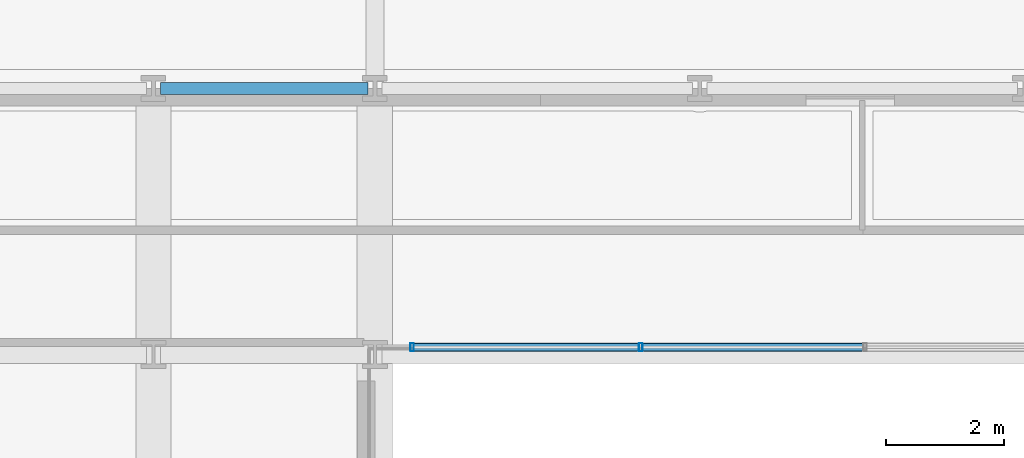
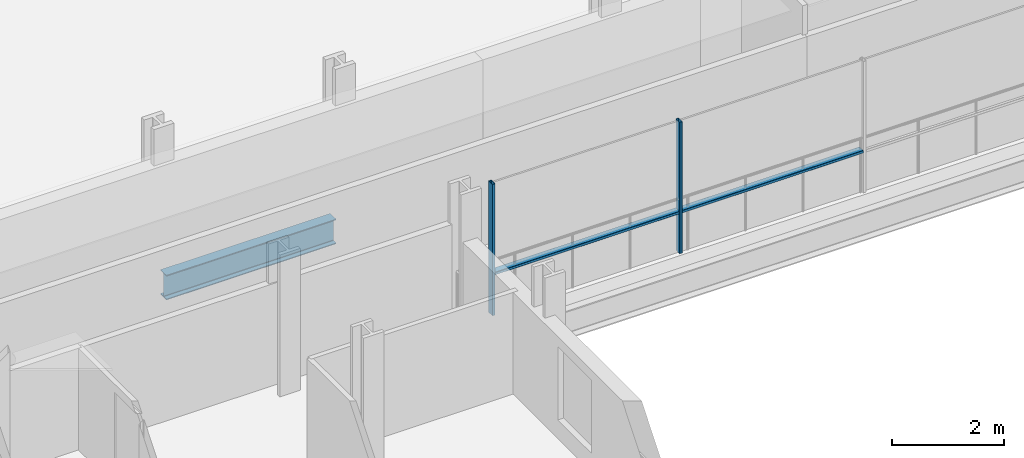
# One storey, part 9 of 38: 4 members, 1 beam, 1 element without a shape of its own.
"""IFC4 building model written with IfcOpenShell, lengths in metres."""

from ifc_helpers import new_model, si_unit, direction, frame, origin, origin_2d, place, context, subcontext, project, spatial, hollow_rectangle, i_section, extrude, material, layer, layer_set, material_profile, profile_set, type_object, element, aggregate, save


model = new_model("IFC4")

# Units and contexts
model_context = context("Model", 3, precision=1e-05, world=origin(), true_north=direction((0.0, 1.0)))
body_context = subcontext(model_context, "Body", "Model", "MODEL_VIEW")
ifc_project = project(units=[si_unit("LENGTHUNIT", "METRE"), si_unit("AREAUNIT", "SQUARE_METRE"), si_unit("VOLUMEUNIT", "CUBIC_METRE"), si_unit("PLANEANGLEUNIT", "RADIAN"), si_unit("MASSUNIT", "GRAM", prefix="KILO")], contexts=[model_context])

# Site, building, storey
site_placement = place(None, origin())
site = spatial("IfcSite", under=ifc_project, at=site_placement, CompositionType="ELEMENT")
building_placement = place(site_placement, origin())
building = spatial("IfcBuilding", under=site, at=building_placement, Name="Brevholm Reach", CompositionType="ELEMENT")
storey_placement = place(building_placement, frame((0.0, 0.0, 28.0)))
storey = spatial("IfcBuildingStorey", under=building, at=storey_placement, Name="L06", CompositionType="ELEMENT", Elevation=28.0)

# Beam
ifc_material_1 = material(Name="Structural Steel S355J2", Category="steel")
ifc_material_profile_1 = material_profile(ifc_material_1, i_section(OverallWidth=0.210693359375, OverallDepth=0.53955078125, WebThickness=0.01171875, FlangeThickness=0.018798828125, FilletRadius=0.0126953125, at=origin_2d()), Name="UKB 533x210x109")
ifc_profile_set_1 = profile_set([ifc_material_profile_1], Name="Structural Steel S355J2")
beam_type = type_object("IfcBeamType", Name="BM-SP539", PredefinedType="SPANDREL", material=ifc_profile_set_1)
beam_placement = place(storey_placement, frame((18.1201171875, 31.0, -0.539794921875), z_axis=(1.0, 0.0, 0.0), x_axis=(0.0, 1.0, 0.0)))
element("IfcBeam", 1, at=beam_placement, inside=storey, type_object=beam_type, Name="L06 SP-01B Framing Beam", PredefinedType="SPANDREL", context=body_context, shape_type="SweptSolid", body=[
    extrude(i_section(OverallWidth=0.210693359375, OverallDepth=0.53955078125, WebThickness=0.01171875, FlangeThickness=0.018798828125, FilletRadius=0.0126953125, at=origin_2d()), origin(), (0.0, 0.0, 1.0), 3.509765625),
])

# Curtain wall, members
ifc_material_2 = material(Name="Dark Anodised Aluminium 6063-T6 and Solar-Control Glass", Category="aluminium")
ifc_layer = layer(ifc_material_2, 0.139892578125)
ifc_layer_set = layer_set([ifc_layer], Name="Dark Anodised Aluminium 6063-T6 and Solar-Control Glass")
curtain_wall_type = type_object("IfcCurtainWallType", Name="CW-02", PredefinedType="NOTDEFINED", material=ifc_layer_set)
curtain_wall_placement = place(storey_placement, origin())
curtain_wall = element("IfcCurtainWall", 2, at=curtain_wall_placement, inside=storey, type_object=curtain_wall_type, Name="L06 Curtain Wall CW-02", PredefinedType="NOTDEFINED")
ifc_material_3 = material(Name="Dark Anodised Aluminium 6063-T6", Category="aluminium")
ifc_material_profile_2 = material_profile(ifc_material_3, hollow_rectangle(XDim=0.06005859375, YDim=0.139892578125, WallThickness=0.0048828125, InnerFilletRadius=0.0048828125, OuterFilletRadius=0.010009765625, at=origin_2d()), Name="RHS 140x60x5")
ifc_profile_set_2 = profile_set([ifc_material_profile_2], Name="Dark Anodised Aluminium 6063-T6")
member_type_1 = type_object("IfcMemberType", Name="CWM-140", PredefinedType="MULLION", material=ifc_profile_set_2)
member_1_placement = place(storey_placement, frame((26.25, 26.6201171875, 0.0), z_axis=(0.0, 0.0, 1.0), x_axis=(-1.0, 0.0, 0.0)))
member_1 = element("IfcMember", 3, at=member_1_placement, type_object=member_type_1, Name="CM-140 Mullion 4", PredefinedType="MULLION", context=body_context, shape_type="SweptSolid", body=[
    extrude(hollow_rectangle(XDim=0.06005859375, YDim=0.139892578125, WallThickness=0.0048828125, InnerFilletRadius=0.0048828125, OuterFilletRadius=0.010009765625, at=origin_2d()), origin(), (0.0, 0.0, 1.0), 2.8701171875),
])
member_2_placement = place(storey_placement, frame((22.3798828125, 26.6201171875, 0.0), z_axis=(0.0, 0.0, 1.0), x_axis=(-1.0, 0.0, 0.0)))
member_2 = element("IfcMember", 4, at=member_2_placement, type_object=member_type_1, Name="CM-140 Mullion 5", PredefinedType="MULLION", context=body_context, shape_type="SweptSolid", body=[
    extrude(hollow_rectangle(XDim=0.06005859375, YDim=0.139892578125, WallThickness=0.0048828125, InnerFilletRadius=0.0048828125, OuterFilletRadius=0.010009765625, at=origin_2d()), origin(), (0.0, 0.0, 1.0), 2.8701171875),
])
ifc_material_4 = material(Name="Dark Anodised Aluminium 6063-T6", Category="aluminium")
ifc_material_profile_3 = material_profile(ifc_material_4, hollow_rectangle(XDim=0.06005859375, YDim=0.139892578125, WallThickness=0.0048828125, InnerFilletRadius=0.0048828125, OuterFilletRadius=0.010009765625, at=origin_2d()), Name="RHS 140x60x5")
ifc_profile_set_3 = profile_set([ifc_material_profile_3], Name="Dark Anodised Aluminium 6063-T6")
member_type_2 = type_object("IfcMemberType", Name="CWT-140", PredefinedType="NOTDEFINED", material=ifc_profile_set_3)
member_3_placement = place(storey_placement, frame((30.02001953125, 26.6201171875, 0.89990234375), z_axis=(-1.0, 0.0, 0.0), x_axis=(0.0, 0.0, 1.0)))
member_3 = element("IfcMember", 5, at=member_3_placement, type_object=member_type_2, Name="CT-140 Transom 3.1", ObjectType="TRANSOM", PredefinedType="USERDEFINED", context=body_context, shape_type="SweptSolid", body=[
    extrude(hollow_rectangle(XDim=0.06005859375, YDim=0.139892578125, WallThickness=0.0048828125, InnerFilletRadius=0.0048828125, OuterFilletRadius=0.010009765625, at=origin_2d()), origin(), (0.0, 0.0, 1.0), 3.739990234375),
])
member_4_placement = place(storey_placement, frame((26.219970703125, 26.6201171875, 0.89990234375), z_axis=(-1.0, 0.0, 0.0), x_axis=(0.0, 0.0, 1.0)))
member_4 = element("IfcMember", 6, at=member_4_placement, type_object=member_type_2, Name="CT-140 Transom 4.1", ObjectType="TRANSOM", PredefinedType="USERDEFINED", context=body_context, shape_type="SweptSolid", body=[
    extrude(hollow_rectangle(XDim=0.06005859375, YDim=0.139892578125, WallThickness=0.0048828125, InnerFilletRadius=0.0048828125, OuterFilletRadius=0.010009765625, at=origin_2d()), origin(), (0.0, 0.0, 1.0), 3.81005859375),
])
aggregate(curtain_wall, [member_1, member_2, member_3, member_4])

save(model, "model.ifc")
